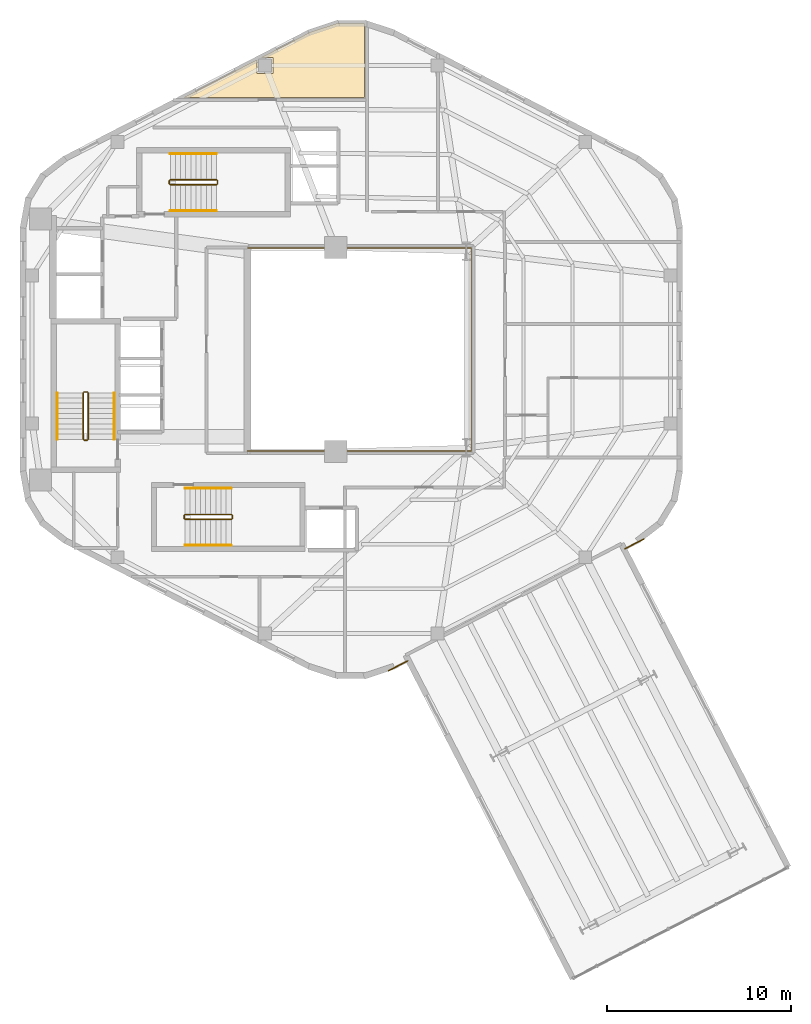
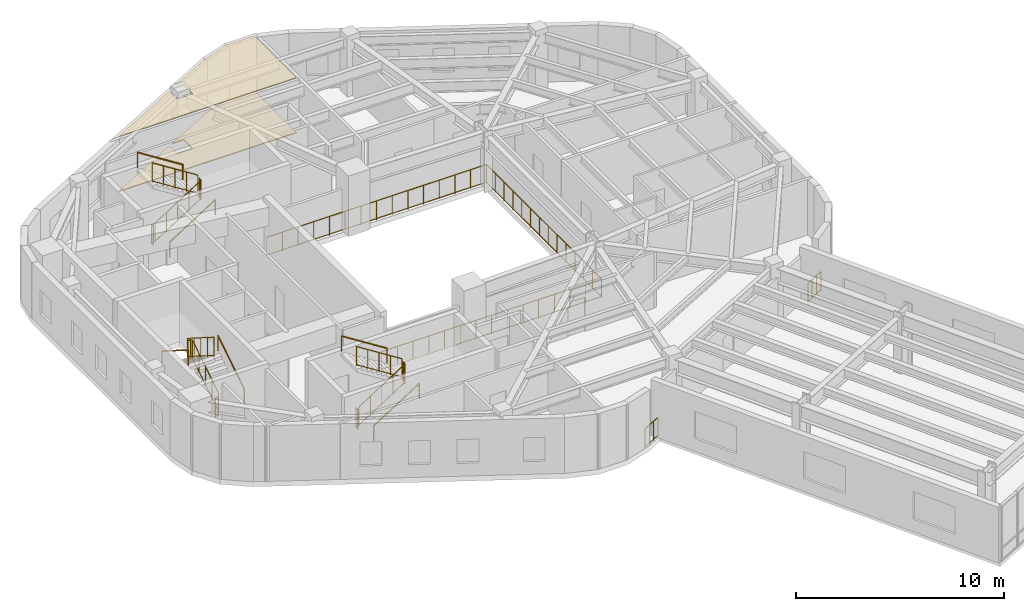
# One storey, part 10 of 10: 21 railings, 2 coverings.
"""IFC4 building model written with IfcOpenShell, lengths in metres."""

from ifc_helpers import new_model, si_unit, direction, frame, origin, origin_2d, place, context, subcontext, project, spatial, polyline, circle, outline, extrude, material, layer, layer_set, type_object, element, save


model = new_model("IFC4")

# Units and contexts
model_context = context("Model", 3, precision=1e-05, world=origin(), true_north=direction((0.0, 1.0)))
body_context = subcontext(model_context, "Body", "Model", "MODEL_VIEW")
ifc_project = project(units=[si_unit("LENGTHUNIT", "METRE"), si_unit("AREAUNIT", "SQUARE_METRE"), si_unit("VOLUMEUNIT", "CUBIC_METRE"), si_unit("PLANEANGLEUNIT", "RADIAN"), si_unit("MASSUNIT", "GRAM", prefix="KILO"), si_unit("THERMODYNAMICTEMPERATUREUNIT", "KELVIN"), si_unit("POWERUNIT", "WATT")], contexts=[model_context])

# Site, building, storey
site_placement = place(None, origin())
site = spatial("IfcSite", under=ifc_project, at=site_placement, CompositionType="ELEMENT")
building_placement = place(site_placement, origin())
building = spatial("IfcBuilding", under=site, at=building_placement, Name="Skarre Station Tower", CompositionType="ELEMENT")
storey_placement = place(building_placement, frame((0.0, 0.0, 234.800048828125)))
storey = spatial("IfcBuildingStorey", under=building, at=storey_placement, Name="L64", CompositionType="ELEMENT", Elevation=234.800048828125)

# Railing
ifc_material_1 = material(Name="Bronze Anodized Steel & Laminated Glass Balustrade", Category="steel")
railing_type_1 = type_object("IfcRailingType", Name="Atrium Void & Mezzanine Guard Balustrade 1120", PredefinedType="GUARDRAIL", material=ifc_material_1)
railing_1_placement = place(storey_placement, frame((27.550048828125, 18.47998046875, 0.0)))
element("IfcRailing", 1, at=railing_1_placement, inside=storey, type_object=railing_type_1, Name="L64 Atrium Void Guard Balustrade", PredefinedType="GUARDRAIL", context=body_context, shape_type="SweptSolid", body=[
    extrude(circle(Radius=0.02392578125, at=origin_2d()), frame((0.0, 0.0, 1.09619140625), z_axis=(1.0, 0.0, 0.0), x_axis=(0.0, 1.0, 0.0)), (0.0, 0.0, 1.0), 12.169921875),
    extrude(circle(Radius=0.02099609375, at=origin_2d()), frame((0.0, 0.0, 0.06005859375), z_axis=(1.0, 0.0, 0.0), x_axis=(0.0, 1.0, 0.0)), (0.0, 0.0, 1.0), 12.169921875),
    extrude(circle(Radius=0.02392578125, at=origin_2d()), frame((12.169921875, 0.0, 1.09619140625), z_axis=(0.0, 1.0, 0.0), x_axis=(-1.0, 0.0, 0.0)), (0.0, 0.0, 1.0), 11.0400390625),
    extrude(circle(Radius=0.02099609375, at=origin_2d()), frame((12.169921875, 0.0, 0.06005859375), z_axis=(0.0, 1.0, 0.0), x_axis=(-1.0, 0.0, 0.0)), (0.0, 0.0, 1.0), 11.0400390625),
    extrude(circle(Radius=0.02392578125, at=origin_2d()), frame((12.169921875, 11.0400390625, 1.09619140625), z_axis=(-1.0, 0.0, 0.0), x_axis=(0.0, -1.0, 0.0)), (0.0, 0.0, 1.0), 12.169921875),
    extrude(circle(Radius=0.02099609375, at=origin_2d()), frame((12.169921875, 11.0400390625, 0.06005859375), z_axis=(-1.0, 0.0, 0.0), x_axis=(0.0, -1.0, 0.0)), (0.0, 0.0, 1.0), 12.169921875),
    extrude(circle(Radius=0.02099609375, at=origin_2d()), origin(), (0.0, 0.0, 1.0), 1.072021484375),
    extrude(circle(Radius=0.02099609375, at=origin_2d()), frame((0.869384765625, 0.0, 0.0)), (0.0, 0.0, 1.0), 1.072021484375),
    extrude(circle(Radius=0.02099609375, at=origin_2d()), frame((1.738525390625, 0.0, 0.0)), (0.0, 0.0, 1.0), 1.072021484375),
    extrude(circle(Radius=0.02099609375, at=origin_2d()), frame((2.60791015625, 0.0, 0.0)), (0.0, 0.0, 1.0), 1.072021484375),
    extrude(circle(Radius=0.02099609375, at=origin_2d()), frame((3.47705078125, 0.0, 0.0)), (0.0, 0.0, 1.0), 1.072021484375),
    extrude(circle(Radius=0.02099609375, at=origin_2d()), frame((4.346435546875, 0.0, 0.0)), (0.0, 0.0, 1.0), 1.072021484375),
    extrude(circle(Radius=0.02099609375, at=origin_2d()), frame((5.215576171875, 0.0, 0.0)), (0.0, 0.0, 1.0), 1.072021484375),
    extrude(circle(Radius=0.02099609375, at=origin_2d()), frame((6.0849609375, 0.0, 0.0)), (0.0, 0.0, 1.0), 1.072021484375),
    extrude(circle(Radius=0.02099609375, at=origin_2d()), frame((6.954345703125, 0.0, 0.0)), (0.0, 0.0, 1.0), 1.072021484375),
    extrude(circle(Radius=0.02099609375, at=origin_2d()), frame((7.823486328125, 0.0, 0.0)), (0.0, 0.0, 1.0), 1.072021484375),
    extrude(circle(Radius=0.02099609375, at=origin_2d()), frame((8.69287109375, 0.0, 0.0)), (0.0, 0.0, 1.0), 1.072021484375),
    extrude(circle(Radius=0.02099609375, at=origin_2d()), frame((9.56201171875, 0.0, 0.0)), (0.0, 0.0, 1.0), 1.072021484375),
    extrude(circle(Radius=0.02099609375, at=origin_2d()), frame((10.431396484375, 0.0, 0.0)), (0.0, 0.0, 1.0), 1.072021484375),
    extrude(circle(Radius=0.02099609375, at=origin_2d()), frame((11.300537109375, 0.0, 0.0)), (0.0, 0.0, 1.0), 1.072021484375),
    extrude(circle(Radius=0.02099609375, at=origin_2d()), frame((12.169921875, 0.0, 0.0)), (0.0, 0.0, 1.0), 1.072021484375),
    extrude(circle(Radius=0.02099609375, at=origin_2d()), frame((12.169921875, 0.84912109375, 0.0)), (0.0, 0.0, 1.0), 1.072021484375),
    extrude(circle(Radius=0.02099609375, at=origin_2d()), frame((12.169921875, 1.698486328125, 0.0)), (0.0, 0.0, 1.0), 1.072021484375),
    extrude(circle(Radius=0.02099609375, at=origin_2d()), frame((12.169921875, 2.547607421875, 0.0)), (0.0, 0.0, 1.0), 1.072021484375),
    extrude(circle(Radius=0.02099609375, at=origin_2d()), frame((12.169921875, 3.39697265625, 0.0)), (0.0, 0.0, 1.0), 1.072021484375),
    extrude(circle(Radius=0.02099609375, at=origin_2d()), frame((12.169921875, 4.24609375, 0.0)), (0.0, 0.0, 1.0), 1.072021484375),
    extrude(circle(Radius=0.02099609375, at=origin_2d()), frame((12.169921875, 5.095458984375, 0.0)), (0.0, 0.0, 1.0), 1.072021484375),
    extrude(circle(Radius=0.02099609375, at=origin_2d()), frame((12.169921875, 5.944580078125, 0.0)), (0.0, 0.0, 1.0), 1.072021484375),
    extrude(circle(Radius=0.02099609375, at=origin_2d()), frame((12.169921875, 6.7939453125, 0.0)), (0.0, 0.0, 1.0), 1.072021484375),
    extrude(circle(Radius=0.02099609375, at=origin_2d()), frame((12.169921875, 7.64306640625, 0.0)), (0.0, 0.0, 1.0), 1.072021484375),
    extrude(circle(Radius=0.02099609375, at=origin_2d()), frame((12.169921875, 8.492431640625, 0.0)), (0.0, 0.0, 1.0), 1.072021484375),
    extrude(circle(Radius=0.02099609375, at=origin_2d()), frame((12.169921875, 9.341552734375, 0.0)), (0.0, 0.0, 1.0), 1.072021484375),
    extrude(circle(Radius=0.02099609375, at=origin_2d()), frame((12.169921875, 10.19091796875, 0.0)), (0.0, 0.0, 1.0), 1.072021484375),
    extrude(circle(Radius=0.02099609375, at=origin_2d()), frame((12.169921875, 11.0400390625, 0.0)), (0.0, 0.0, 1.0), 1.072021484375),
    extrude(circle(Radius=0.02099609375, at=origin_2d()), frame((11.300537109375, 11.0400390625, 0.0)), (0.0, 0.0, 1.0), 1.072021484375),
    extrude(circle(Radius=0.02099609375, at=origin_2d()), frame((10.431396484375, 11.0400390625, 0.0)), (0.0, 0.0, 1.0), 1.072021484375),
    extrude(circle(Radius=0.02099609375, at=origin_2d()), frame((9.56201171875, 11.0400390625, 0.0)), (0.0, 0.0, 1.0), 1.072021484375),
    extrude(circle(Radius=0.02099609375, at=origin_2d()), frame((8.69287109375, 11.0400390625, 0.0)), (0.0, 0.0, 1.0), 1.072021484375),
    extrude(circle(Radius=0.02099609375, at=origin_2d()), frame((7.823486328125, 11.0400390625, 0.0)), (0.0, 0.0, 1.0), 1.072021484375),
    extrude(circle(Radius=0.02099609375, at=origin_2d()), frame((6.954345703125, 11.0400390625, 0.0)), (0.0, 0.0, 1.0), 1.072021484375),
    extrude(circle(Radius=0.02099609375, at=origin_2d()), frame((6.0849609375, 11.0400390625, 0.0)), (0.0, 0.0, 1.0), 1.072021484375),
    extrude(circle(Radius=0.02099609375, at=origin_2d()), frame((5.215576171875, 11.0400390625, 0.0)), (0.0, 0.0, 1.0), 1.072021484375),
    extrude(circle(Radius=0.02099609375, at=origin_2d()), frame((4.346435546875, 11.0400390625, 0.0)), (0.0, 0.0, 1.0), 1.072021484375),
    extrude(circle(Radius=0.02099609375, at=origin_2d()), frame((3.47705078125, 11.0400390625, 0.0)), (0.0, 0.0, 1.0), 1.072021484375),
    extrude(circle(Radius=0.02099609375, at=origin_2d()), frame((2.60791015625, 11.0400390625, 0.0)), (0.0, 0.0, 1.0), 1.072021484375),
    extrude(circle(Radius=0.02099609375, at=origin_2d()), frame((1.738525390625, 11.0400390625, 0.0)), (0.0, 0.0, 1.0), 1.072021484375),
    extrude(circle(Radius=0.02099609375, at=origin_2d()), frame((0.869384765625, 11.0400390625, 0.0)), (0.0, 0.0, 1.0), 1.072021484375),
    extrude(circle(Radius=0.02099609375, at=origin_2d()), frame((0.0, 11.0400390625, 0.0)), (0.0, 0.0, 1.0), 1.072021484375),
])

# Covering
ifc_material_2 = material(Name="Honed Jura Limestone & Calcium-Sulfate Access Tile", Category="masonry")
ifc_layer_1 = layer(ifc_material_2, 0.050048828125, Name="Honed Jura Limestone & Calcium-Sulfate Access Tile")
ifc_layer_set_1 = layer_set([ifc_layer_1], Name="Honed Jura Limestone & Calcium-Sulfate Access Tile")
covering_type_1 = type_object("IfcCoveringType", Name="Honed Limestone & Raised Access Floor Finish 50", PredefinedType="FLOORING", material=ifc_layer_set_1)
covering_1_placement = place(storey_placement, origin())
element("IfcCovering", 2, at=covering_1_placement, inside=storey, type_object=covering_type_1, Name="L64 Limestone Access Flooring 1", PredefinedType="FLOORING", context=body_context, shape_type="SweptSolid", body=[
    extrude(outline(polyline([(33.919921875, 41.74609375), (32.429931640625, 41.74609375), (30.9541015625, 41.260009765625), (28.27490234375, 39.876953125), (28.94091796875, 39.876953125), (28.94091796875, 39.01708984375), (28.0810546875, 39.01708984375), (28.0810546875, 39.777099609375), (24.05810546875, 37.699951171875), (33.919921875, 37.699951171875), (33.919921875, 41.74609375)])), origin(), (0.0, 0.0, 1.0), 0.050048828125),
])

# Railings
ifc_material_3 = material(Name="Stainless Steel Grade 316L & Laminated Safety Glass", Category="steel")
railing_type_2 = type_object("IfcRailingType", Name="Laminated Glass & Stainless Terrace Guardrail 1150", PredefinedType="BALUSTRADE", material=ifc_material_3)
for number, where, name in (
    (3, (36.260986328125, 7.05908203125, 0.0), "L64 SB-5 Shoulder Ledge Guardrail 1"),
    (4, (49.116943359375, 13.696044921875, 0.0), "L64 SB-5 Shoulder Ledge Guardrail 2"),
):
    element("IfcRailing", number, at=place(storey_placement, frame(where)), inside=storey, type_object=railing_type_2, Name=name, PredefinedType="BALUSTRADE", context=body_context, shape_type="SweptSolid", body=[
        extrude(circle(Radius=0.02392578125, at=origin_2d()), frame((0.0, 0.0, 1.1259765625), z_axis=(-0.888662231041, -0.458562361213, 0.0), x_axis=(0.458562361213, -0.888662231041, 0.0)), (0.0, 0.0, 1.0), 1.157958984375),
        extrude(circle(Radius=0.02099609375, at=origin_2d()), frame((0.0, 0.0, 0.06005859375), z_axis=(-0.888662231041, -0.458562361213, 0.0), x_axis=(0.458562361213, -0.888662231041, 0.0)), (0.0, 0.0, 1.0), 1.157958984375),
        extrude(circle(Radius=0.02099609375, at=origin_2d()), origin(), (0.0, 0.0, 1.0), 1.101806640625),
        extrude(circle(Radius=0.02099609375, at=origin_2d()), frame((-0.343017578125, -0.177001953125, 0.0)), (0.0, 0.0, 1.0), 1.101806640625),
        extrude(circle(Radius=0.02099609375, at=origin_2d()), frame((-0.68603515625, -0.35400390625, 0.0)), (0.0, 0.0, 1.0), 1.101806640625),
        extrude(circle(Radius=0.02099609375, at=origin_2d()), frame((-1.029052734375, -0.531005859375, 0.0)), (0.0, 0.0, 1.0), 1.101806640625),
    ])

# Covering
ifc_material_4 = material(Name="Perforated Nordic Birch Veneer & Mineral Wool", Category="wood")
ifc_layer_2 = layer(ifc_material_4, 0.044921875, Name="Perforated Nordic Birch Veneer & Mineral Wool")
ifc_layer_set_2 = layer_set([ifc_layer_2], Name="Perforated Nordic Birch Veneer & Mineral Wool")
covering_type_2 = type_object("IfcCoveringType", Name="Nordic Birch Slatted Acoustic Suspended Ceiling 45", PredefinedType="CEILING", material=ifc_layer_set_2)
covering_2_placement = place(storey_placement, frame((0.0, 0.0, 3.21484375)))
element("IfcCovering", 5, at=covering_2_placement, inside=storey, type_object=covering_type_2, Name="L64 Acoustic Birch Ceiling 1", PredefinedType="CEILING", context=body_context, shape_type="SweptSolid", body=[
    extrude(outline(polyline([(33.919921875, 41.74609375), (32.429931640625, 41.74609375), (30.9541015625, 41.260009765625), (28.27490234375, 39.876953125), (28.94091796875, 39.876953125), (28.94091796875, 39.01708984375), (28.0810546875, 39.01708984375), (28.0810546875, 39.777099609375), (24.05810546875, 37.699951171875), (33.919921875, 37.699951171875), (33.919921875, 41.74609375)])), origin(), (0.0, 0.0, 1.0), 0.045166015625),
])

# Railings
ifc_material_5 = material(Name="Powder-Coated Tubular Steel", Category="steel")
railing_type_3 = type_object("IfcRailingType", Name="Painted Steel Ramp & Stair Handrail 920", PredefinedType="HANDRAIL", material=ifc_material_5)
railing_2_placement = place(storey_placement, frame((20.300048828125, 19.1201171875, 0.177490234375)))
element("IfcRailing", 6, at=railing_2_placement, inside=storey, type_object=railing_type_3, Name="L64 ST-1 stair handrail 1", PredefinedType="HANDRAIL", context=body_context, shape_type="SweptSolid", body=[
    extrude(circle(Radius=0.02392578125, at=origin_2d()), frame((0.0, 0.0, 0.8759765625), z_axis=(0.0, 0.844583492756, 0.535423872987), x_axis=(-1.0, 0.0, 0.0)), (0.0, 0.0, 1.0), 2.9833984375),
    extrude(circle(Radius=0.02099609375, at=origin_2d()), origin(), (0.0, 0.0, 1.0), 0.851806640625),
    extrude(circle(Radius=0.02099609375, at=origin_2d()), frame((0.0, 2.519775390625, 1.597412109375)), (0.0, 0.0, 1.0), 0.851806640625),
])
railing_3_placement = place(storey_placement, frame((17.199951171875, 21.639892578125, 1.952392578125)))
element("IfcRailing", 7, at=railing_3_placement, inside=storey, type_object=railing_type_3, Name="L64 ST-1 stair handrail 2", PredefinedType="HANDRAIL", context=body_context, shape_type="SweptSolid", body=[
    extrude(circle(Radius=0.02392578125, at=origin_2d()), frame((0.0, 0.0, 0.8759765625), z_axis=(0.0, -0.844546487299, 0.535482241341), x_axis=(1.0, 0.0, 0.0)), (0.0, 0.0, 1.0), 2.983642578125),
    extrude(circle(Radius=0.02099609375, at=origin_2d()), origin(), (0.0, 0.0, 1.0), 0.851806640625),
    extrude(circle(Radius=0.02099609375, at=origin_2d()), frame((0.0, -2.519775390625, 1.59765625)), (0.0, 0.0, 1.0), 0.851806640625),
])
railing_4_placement = place(storey_placement, frame((24.14990234375, 13.35009765625, 0.177490234375)))
element("IfcRailing", 8, at=railing_4_placement, inside=storey, type_object=railing_type_3, Name="L64 ST-2 stair handrail 1", PredefinedType="HANDRAIL", context=body_context, shape_type="SweptSolid", body=[
    extrude(circle(Radius=0.02392578125, at=origin_2d()), frame((0.0, 0.0, 0.8759765625), z_axis=(0.84460694969, 0.0, 0.535386869969), x_axis=(0.0, 1.0, 0.0)), (0.0, 0.0, 1.0), 2.983642578125),
    extrude(circle(Radius=0.02099609375, at=origin_2d()), origin(), (0.0, 0.0, 1.0), 0.851806640625),
    extrude(circle(Radius=0.02099609375, at=origin_2d()), frame((2.52001953125, 0.0, 1.597412109375)), (0.0, 0.0, 1.0), 0.851806640625),
])
railing_5_placement = place(storey_placement, frame((26.669921875, 16.449951171875, 1.952392578125)))
element("IfcRailing", 9, at=railing_5_placement, inside=storey, type_object=railing_type_3, Name="L64 ST-2 stair handrail 2", PredefinedType="HANDRAIL", context=body_context, shape_type="SweptSolid", body=[
    extrude(circle(Radius=0.02392578125, at=origin_2d()), frame((0.0, 0.0, 0.8759765625), z_axis=(-0.84456994832, 0.0, 0.535445237532), x_axis=(0.0, -1.0, 0.0)), (0.0, 0.0, 1.0), 2.98388671875),
    extrude(circle(Radius=0.02099609375, at=origin_2d()), origin(), (0.0, 0.0, 1.0), 0.851806640625),
    extrude(circle(Radius=0.02099609375, at=origin_2d()), frame((-2.52001953125, 0.0, 1.59765625)), (0.0, 0.0, 1.0), 0.851806640625),
])
railing_6_placement = place(storey_placement, frame((23.35009765625, 31.550048828125, 0.177490234375)))
element("IfcRailing", 10, at=railing_6_placement, inside=storey, type_object=railing_type_3, Name="L64 ST-3 stair handrail 1", PredefinedType="HANDRAIL", context=body_context, shape_type="SweptSolid", body=[
    extrude(circle(Radius=0.02392578125, at=origin_2d()), frame((0.0, 0.0, 0.8759765625), z_axis=(0.84460694969, 0.0, 0.535386869969), x_axis=(0.0, 1.0, 0.0)), (0.0, 0.0, 1.0), 2.983642578125),
    extrude(circle(Radius=0.02099609375, at=origin_2d()), origin(), (0.0, 0.0, 1.0), 0.851806640625),
    extrude(circle(Radius=0.02099609375, at=origin_2d()), frame((2.52001953125, 0.0, 1.597412109375)), (0.0, 0.0, 1.0), 0.851806640625),
])
railing_7_placement = place(storey_placement, frame((25.8701171875, 34.64990234375, 1.952392578125)))
element("IfcRailing", 11, at=railing_7_placement, inside=storey, type_object=railing_type_3, Name="L64 ST-3 stair handrail 2", PredefinedType="HANDRAIL", context=body_context, shape_type="SweptSolid", body=[
    extrude(circle(Radius=0.02392578125, at=origin_2d()), frame((0.0, 0.0, 0.8759765625), z_axis=(-0.84456994832, 0.0, 0.535445237532), x_axis=(0.0, -1.0, 0.0)), (0.0, 0.0, 1.0), 2.98388671875),
    extrude(circle(Radius=0.02099609375, at=origin_2d()), origin(), (0.0, 0.0, 1.0), 0.851806640625),
    extrude(circle(Radius=0.02099609375, at=origin_2d()), frame((-2.52001953125, 0.0, 1.59765625)), (0.0, 0.0, 1.0), 0.851806640625),
])
railing_type_4 = type_object("IfcRailingType", Name="Painted Steel Stairwell Guardrail 1100", PredefinedType="GUARDRAIL", material=ifc_material_5)
railing_8_placement = place(storey_placement, frame((18.8798828125, 19.1201171875, 0.177490234375)))
element("IfcRailing", 12, at=railing_8_placement, inside=storey, type_object=railing_type_4, Name="L64 ST-1 stair guard 1", PredefinedType="GUARDRAIL", context=body_context, shape_type="SweptSolid", body=[
    extrude(circle(Radius=0.02392578125, at=origin_2d()), frame((0.0, 0.0, 1.1259765625), z_axis=(0.0, 0.844583492756, 0.535423872987), x_axis=(-1.0, 0.0, 0.0)), (0.0, 0.0, 1.0), 2.9833984375),
    extrude(circle(Radius=0.02099609375, at=origin_2d()), frame((0.0, 0.0, 0.06005859375), z_axis=(0.0, 0.844583492756, 0.535423872987), x_axis=(-1.0, 0.0, 0.0)), (0.0, 0.0, 1.0), 2.9833984375),
    extrude(circle(Radius=0.02099609375, at=origin_2d()), origin(), (0.0, 0.0, 1.0), 1.101806640625),
    extrude(circle(Radius=0.02099609375, at=origin_2d()), frame((0.0, 0.6298828125, 0.3994140625)), (0.0, 0.0, 1.0), 1.101806640625),
    extrude(circle(Radius=0.02099609375, at=origin_2d()), frame((0.0, 1.259765625, 0.798828125)), (0.0, 0.0, 1.0), 1.101806640625),
    extrude(circle(Radius=0.02099609375, at=origin_2d()), frame((0.0, 1.889892578125, 1.197998046875)), (0.0, 0.0, 1.0), 1.101806640625),
    extrude(circle(Radius=0.02099609375, at=origin_2d()), frame((0.0, 2.519775390625, 1.597412109375)), (0.0, 0.0, 1.0), 1.101806640625),
])
railing_9_placement = place(storey_placement, frame((18.830078125, 21.68994140625, 1.77490234375)))
element("IfcRailing", 13, at=railing_9_placement, inside=storey, type_object=railing_type_4, Name="L64 ST-1 stair guard 2", PredefinedType="GUARDRAIL", context=body_context, shape_type="SweptSolid", body=[
    extrude(circle(Radius=0.02392578125, at=origin_2d()), frame((0.0, 0.0, 1.1259765625), z_axis=(-1.0, 0.0, 0.0), x_axis=(0.0, -1.0, 0.0)), (0.0, 0.0, 1.0), 0.16015625),
    extrude(circle(Radius=0.02099609375, at=origin_2d()), frame((0.0, 0.0, 0.06005859375), z_axis=(-1.0, 0.0, 0.0), x_axis=(0.0, -1.0, 0.0)), (0.0, 0.0, 1.0), 0.16015625),
    extrude(circle(Radius=0.02099609375, at=origin_2d()), origin(), (0.0, 0.0, 1.0), 1.101806640625),
    extrude(circle(Radius=0.02099609375, at=origin_2d()), frame((-0.16015625, 0.0, 0.0)), (0.0, 0.0, 1.0), 1.101806640625),
])
railing_10_placement = place(storey_placement, frame((18.6201171875, 21.639892578125, 1.952392578125)))
element("IfcRailing", 14, at=railing_10_placement, inside=storey, type_object=railing_type_4, Name="L64 ST-1 stair guard 3", PredefinedType="GUARDRAIL", context=body_context, shape_type="SweptSolid", body=[
    extrude(circle(Radius=0.02392578125, at=origin_2d()), frame((0.0, 0.0, 1.1259765625), z_axis=(0.0, -0.844546487299, 0.535482241341), x_axis=(1.0, 0.0, 0.0)), (0.0, 0.0, 1.0), 2.983642578125),
    extrude(circle(Radius=0.02099609375, at=origin_2d()), frame((0.0, 0.0, 0.06005859375), z_axis=(0.0, -0.844546487299, 0.535482241341), x_axis=(1.0, 0.0, 0.0)), (0.0, 0.0, 1.0), 2.983642578125),
    extrude(circle(Radius=0.02099609375, at=origin_2d()), origin(), (0.0, 0.0, 1.0), 1.101806640625),
    extrude(circle(Radius=0.02099609375, at=origin_2d()), frame((0.0, -0.6298828125, 0.3994140625)), (0.0, 0.0, 1.0), 1.101806640625),
    extrude(circle(Radius=0.02099609375, at=origin_2d()), frame((0.0, -1.259765625, 0.798828125)), (0.0, 0.0, 1.0), 1.101806640625),
    extrude(circle(Radius=0.02099609375, at=origin_2d()), frame((0.0, -1.889892578125, 1.1982421875)), (0.0, 0.0, 1.0), 1.101806640625),
    extrude(circle(Radius=0.02099609375, at=origin_2d()), frame((0.0, -2.519775390625, 1.59765625)), (0.0, 0.0, 1.0), 1.101806640625),
])
railing_11_placement = place(storey_placement, frame((18.830078125, 19.070068359375, 0.0)))
element("IfcRailing", 15, at=railing_11_placement, inside=storey, type_object=railing_type_4, Name="L64 ST-1 stair guard 4", PredefinedType="GUARDRAIL", context=body_context, shape_type="SweptSolid", body=[
    extrude(circle(Radius=0.02392578125, at=origin_2d()), frame((0.0, 0.0, 1.1259765625), z_axis=(-1.0, 0.0, 0.0), x_axis=(0.0, -1.0, 0.0)), (0.0, 0.0, 1.0), 0.16015625),
    extrude(circle(Radius=0.02099609375, at=origin_2d()), frame((0.0, 0.0, 0.06005859375), z_axis=(-1.0, 0.0, 0.0), x_axis=(0.0, -1.0, 0.0)), (0.0, 0.0, 1.0), 0.16015625),
    extrude(circle(Radius=0.02099609375, at=origin_2d()), origin(), (0.0, 0.0, 1.0), 1.101806640625),
    extrude(circle(Radius=0.02099609375, at=origin_2d()), frame((-0.16015625, 0.0, 0.0)), (0.0, 0.0, 1.0), 1.101806640625),
])
railing_12_placement = place(storey_placement, frame((24.14990234375, 14.77001953125, 0.177490234375)))
element("IfcRailing", 16, at=railing_12_placement, inside=storey, type_object=railing_type_4, Name="L64 ST-2 stair guard 1", PredefinedType="GUARDRAIL", context=body_context, shape_type="SweptSolid", body=[
    extrude(circle(Radius=0.02392578125, at=origin_2d()), frame((0.0, 0.0, 1.1259765625), z_axis=(0.84460694969, 0.0, 0.535386869969), x_axis=(0.0, 1.0, 0.0)), (0.0, 0.0, 1.0), 2.983642578125),
    extrude(circle(Radius=0.02099609375, at=origin_2d()), frame((0.0, 0.0, 0.06005859375), z_axis=(0.84460694969, 0.0, 0.535386869969), x_axis=(0.0, 1.0, 0.0)), (0.0, 0.0, 1.0), 2.983642578125),
    extrude(circle(Radius=0.02099609375, at=origin_2d()), origin(), (0.0, 0.0, 1.0), 1.101806640625),
    extrude(circle(Radius=0.02099609375, at=origin_2d()), frame((0.6298828125, 0.0, 0.3994140625)), (0.0, 0.0, 1.0), 1.101806640625),
    extrude(circle(Radius=0.02099609375, at=origin_2d()), frame((1.260009765625, 0.0, 0.798828125)), (0.0, 0.0, 1.0), 1.101806640625),
    extrude(circle(Radius=0.02099609375, at=origin_2d()), frame((1.89013671875, 0.0, 1.197998046875)), (0.0, 0.0, 1.0), 1.101806640625),
    extrude(circle(Radius=0.02099609375, at=origin_2d()), frame((2.52001953125, 0.0, 1.597412109375)), (0.0, 0.0, 1.0), 1.101806640625),
])
railing_13_placement = place(storey_placement, frame((26.719970703125, 14.820068359375, 1.77490234375)))
element("IfcRailing", 17, at=railing_13_placement, inside=storey, type_object=railing_type_4, Name="L64 ST-2 stair guard 2", PredefinedType="GUARDRAIL", context=body_context, shape_type="SweptSolid", body=[
    extrude(circle(Radius=0.02392578125, at=origin_2d()), frame((0.0, 0.0, 1.1259765625), z_axis=(0.0, 1.0, 0.0), x_axis=(-1.0, 0.0, 0.0)), (0.0, 0.0, 1.0), 0.159912109375),
    extrude(circle(Radius=0.02099609375, at=origin_2d()), frame((0.0, 0.0, 0.06005859375), z_axis=(0.0, 1.0, 0.0), x_axis=(-1.0, 0.0, 0.0)), (0.0, 0.0, 1.0), 0.159912109375),
    extrude(circle(Radius=0.02099609375, at=origin_2d()), origin(), (0.0, 0.0, 1.0), 1.101806640625),
    extrude(circle(Radius=0.02099609375, at=origin_2d()), frame((0.0, 0.159912109375, 0.0)), (0.0, 0.0, 1.0), 1.101806640625),
])
railing_14_placement = place(storey_placement, frame((26.669921875, 15.030029296875, 1.952392578125)))
element("IfcRailing", 18, at=railing_14_placement, inside=storey, type_object=railing_type_4, Name="L64 ST-2 stair guard 3", PredefinedType="GUARDRAIL", context=body_context, shape_type="SweptSolid", body=[
    extrude(circle(Radius=0.02392578125, at=origin_2d()), frame((0.0, 0.0, 1.1259765625), z_axis=(-0.84456994832, 0.0, 0.535445237532), x_axis=(0.0, -1.0, 0.0)), (0.0, 0.0, 1.0), 2.98388671875),
    extrude(circle(Radius=0.02099609375, at=origin_2d()), frame((0.0, 0.0, 0.06005859375), z_axis=(-0.84456994832, 0.0, 0.535445237532), x_axis=(0.0, -1.0, 0.0)), (0.0, 0.0, 1.0), 2.98388671875),
    extrude(circle(Radius=0.02099609375, at=origin_2d()), origin(), (0.0, 0.0, 1.0), 1.101806640625),
    extrude(circle(Radius=0.02099609375, at=origin_2d()), frame((-0.6298828125, 0.0, 0.3994140625)), (0.0, 0.0, 1.0), 1.101806640625),
    extrude(circle(Radius=0.02099609375, at=origin_2d()), frame((-1.260009765625, 0.0, 0.798828125)), (0.0, 0.0, 1.0), 1.101806640625),
    extrude(circle(Radius=0.02099609375, at=origin_2d()), frame((-1.89013671875, 0.0, 1.1982421875)), (0.0, 0.0, 1.0), 1.101806640625),
    extrude(circle(Radius=0.02099609375, at=origin_2d()), frame((-2.52001953125, 0.0, 1.59765625)), (0.0, 0.0, 1.0), 1.101806640625),
])
railing_15_placement = place(storey_placement, frame((24.10009765625, 14.820068359375, 0.0)))
element("IfcRailing", 19, at=railing_15_placement, inside=storey, type_object=railing_type_4, Name="L64 ST-2 stair guard 4", PredefinedType="GUARDRAIL", context=body_context, shape_type="SweptSolid", body=[
    extrude(circle(Radius=0.02392578125, at=origin_2d()), frame((0.0, 0.0, 1.1259765625), z_axis=(0.0, 1.0, 0.0), x_axis=(-1.0, 0.0, 0.0)), (0.0, 0.0, 1.0), 0.159912109375),
    extrude(circle(Radius=0.02099609375, at=origin_2d()), frame((0.0, 0.0, 0.06005859375), z_axis=(0.0, 1.0, 0.0), x_axis=(-1.0, 0.0, 0.0)), (0.0, 0.0, 1.0), 0.159912109375),
    extrude(circle(Radius=0.02099609375, at=origin_2d()), origin(), (0.0, 0.0, 1.0), 1.101806640625),
    extrude(circle(Radius=0.02099609375, at=origin_2d()), frame((0.0, 0.159912109375, 0.0)), (0.0, 0.0, 1.0), 1.101806640625),
])
railing_16_placement = place(storey_placement, frame((23.35009765625, 32.969970703125, 0.177490234375)))
element("IfcRailing", 20, at=railing_16_placement, inside=storey, type_object=railing_type_4, Name="L64 ST-3 stair guard 1", PredefinedType="GUARDRAIL", context=body_context, shape_type="SweptSolid", body=[
    extrude(circle(Radius=0.02392578125, at=origin_2d()), frame((0.0, 0.0, 1.1259765625), z_axis=(0.84460694969, 0.0, 0.535386869969), x_axis=(0.0, 1.0, 0.0)), (0.0, 0.0, 1.0), 2.983642578125),
    extrude(circle(Radius=0.02099609375, at=origin_2d()), frame((0.0, 0.0, 0.06005859375), z_axis=(0.84460694969, 0.0, 0.535386869969), x_axis=(0.0, 1.0, 0.0)), (0.0, 0.0, 1.0), 2.983642578125),
    extrude(circle(Radius=0.02099609375, at=origin_2d()), origin(), (0.0, 0.0, 1.0), 1.101806640625),
    extrude(circle(Radius=0.02099609375, at=origin_2d()), frame((0.6298828125, 0.0, 0.3994140625)), (0.0, 0.0, 1.0), 1.101806640625),
    extrude(circle(Radius=0.02099609375, at=origin_2d()), frame((1.260009765625, 0.0, 0.798828125)), (0.0, 0.0, 1.0), 1.101806640625),
    extrude(circle(Radius=0.02099609375, at=origin_2d()), frame((1.89013671875, 0.0, 1.197998046875)), (0.0, 0.0, 1.0), 1.101806640625),
    extrude(circle(Radius=0.02099609375, at=origin_2d()), frame((2.52001953125, 0.0, 1.597412109375)), (0.0, 0.0, 1.0), 1.101806640625),
])
railing_17_placement = place(storey_placement, frame((25.919921875, 33.02001953125, 1.77490234375)))
element("IfcRailing", 21, at=railing_17_placement, inside=storey, type_object=railing_type_4, Name="L64 ST-3 stair guard 2", PredefinedType="GUARDRAIL", context=body_context, shape_type="SweptSolid", body=[
    extrude(circle(Radius=0.02392578125, at=origin_2d()), frame((0.0, 0.0, 1.1259765625), z_axis=(0.0, 1.0, 0.0), x_axis=(-1.0, 0.0, 0.0)), (0.0, 0.0, 1.0), 0.159912109375),
    extrude(circle(Radius=0.02099609375, at=origin_2d()), frame((0.0, 0.0, 0.06005859375), z_axis=(0.0, 1.0, 0.0), x_axis=(-1.0, 0.0, 0.0)), (0.0, 0.0, 1.0), 0.159912109375),
    extrude(circle(Radius=0.02099609375, at=origin_2d()), origin(), (0.0, 0.0, 1.0), 1.101806640625),
    extrude(circle(Radius=0.02099609375, at=origin_2d()), frame((0.0, 0.159912109375, 0.0)), (0.0, 0.0, 1.0), 1.101806640625),
])
railing_18_placement = place(storey_placement, frame((25.8701171875, 33.22998046875, 1.952392578125)))
element("IfcRailing", 22, at=railing_18_placement, inside=storey, type_object=railing_type_4, Name="L64 ST-3 stair guard 3", PredefinedType="GUARDRAIL", context=body_context, shape_type="SweptSolid", body=[
    extrude(circle(Radius=0.02392578125, at=origin_2d()), frame((0.0, 0.0, 1.1259765625), z_axis=(-0.84456994832, 0.0, 0.535445237532), x_axis=(0.0, -1.0, 0.0)), (0.0, 0.0, 1.0), 2.98388671875),
    extrude(circle(Radius=0.02099609375, at=origin_2d()), frame((0.0, 0.0, 0.06005859375), z_axis=(-0.84456994832, 0.0, 0.535445237532), x_axis=(0.0, -1.0, 0.0)), (0.0, 0.0, 1.0), 2.98388671875),
    extrude(circle(Radius=0.02099609375, at=origin_2d()), origin(), (0.0, 0.0, 1.0), 1.101806640625),
    extrude(circle(Radius=0.02099609375, at=origin_2d()), frame((-0.6298828125, 0.0, 0.3994140625)), (0.0, 0.0, 1.0), 1.101806640625),
    extrude(circle(Radius=0.02099609375, at=origin_2d()), frame((-1.260009765625, 0.0, 0.798828125)), (0.0, 0.0, 1.0), 1.101806640625),
    extrude(circle(Radius=0.02099609375, at=origin_2d()), frame((-1.89013671875, 0.0, 1.1982421875)), (0.0, 0.0, 1.0), 1.101806640625),
    extrude(circle(Radius=0.02099609375, at=origin_2d()), frame((-2.52001953125, 0.0, 1.59765625)), (0.0, 0.0, 1.0), 1.101806640625),
])
railing_19_placement = place(storey_placement, frame((23.300048828125, 33.02001953125, 0.0)))
element("IfcRailing", 23, at=railing_19_placement, inside=storey, type_object=railing_type_4, Name="L64 ST-3 stair guard 4", PredefinedType="GUARDRAIL", context=body_context, shape_type="SweptSolid", body=[
    extrude(circle(Radius=0.02392578125, at=origin_2d()), frame((0.0, 0.0, 1.1259765625), z_axis=(0.0, 1.0, 0.0), x_axis=(-1.0, 0.0, 0.0)), (0.0, 0.0, 1.0), 0.159912109375),
    extrude(circle(Radius=0.02099609375, at=origin_2d()), frame((0.0, 0.0, 0.06005859375), z_axis=(0.0, 1.0, 0.0), x_axis=(-1.0, 0.0, 0.0)), (0.0, 0.0, 1.0), 0.159912109375),
    extrude(circle(Radius=0.02099609375, at=origin_2d()), origin(), (0.0, 0.0, 1.0), 1.101806640625),
    extrude(circle(Radius=0.02099609375, at=origin_2d()), frame((0.0, 0.159912109375, 0.0)), (0.0, 0.0, 1.0), 1.101806640625),
])

save(model, "model.ifc")
